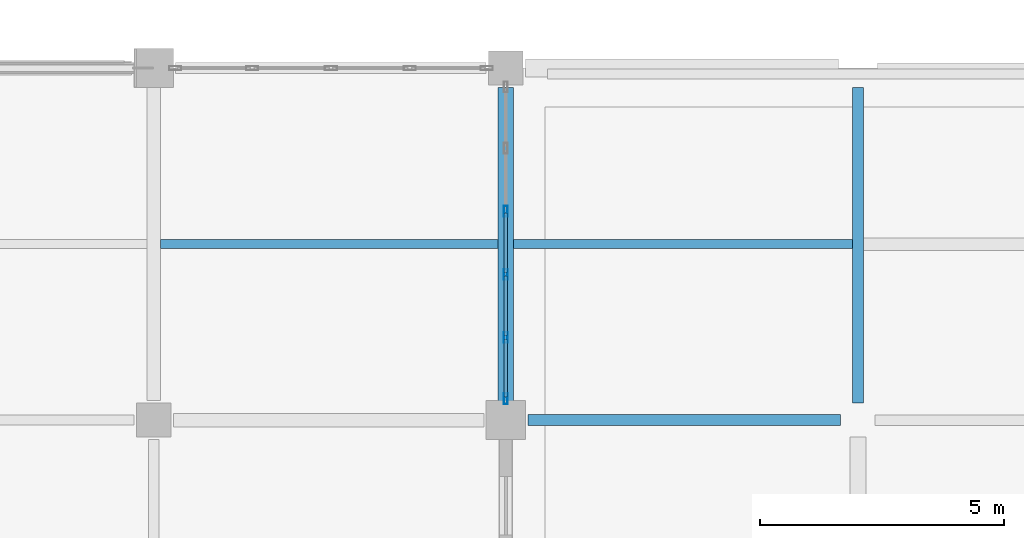
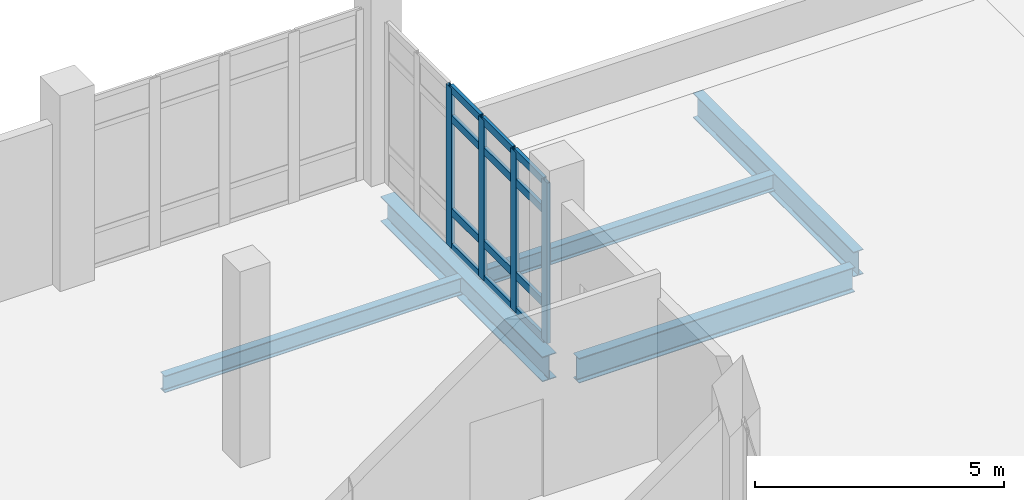
# One storey, part 92 of 153: 16 members, 5 beams, 1 element without a shape of its own.
"""IFC4 building model written with IfcOpenShell, lengths in metres."""

from ifc_helpers import new_model, si_unit, direction, frame, origin, origin_2d, place, context, subcontext, project, spatial, hollow_rectangle, i_section, extrude, material, layer, layer_set, material_profile, profile_set, type_object, element, aggregate, save


model = new_model("IFC4")

# Units and contexts
model_context = context("Model", 3, precision=1e-05, world=origin(), true_north=direction((0.0, 1.0)))
body_context = subcontext(model_context, "Body", "Model", "MODEL_VIEW")
ifc_project = project(units=[si_unit("LENGTHUNIT", "METRE"), si_unit("AREAUNIT", "SQUARE_METRE"), si_unit("VOLUMEUNIT", "CUBIC_METRE"), si_unit("PLANEANGLEUNIT", "RADIAN"), si_unit("MASSUNIT", "GRAM", prefix="KILO")], contexts=[model_context])

# Site, building, storey
site_placement = place(None, origin())
site = spatial("IfcSite", under=ifc_project, at=site_placement, CompositionType="ELEMENT")
building_placement = place(site_placement, origin())
building = spatial("IfcBuilding", under=site, at=building_placement, Name="Calvrana Isthmian Art Gallery", CompositionType="ELEMENT")
storey_placement = place(building_placement, frame((0.0, 0.0, 10.199951171875)))
storey = spatial("IfcBuildingStorey", under=building, at=storey_placement, Name="L02", CompositionType="ELEMENT", Elevation=10.199951171875)

# Beams
ifc_material_1 = material(Name="Steel ASTM A992 Gr 50", Category="steel")
ifc_material_profile_1 = material_profile(ifc_material_1, i_section(OverallWidth=0.324951171875, OverallDepth=0.612060546875, WebThickness=0.0126953125, FlangeThickness=0.01904296875, FilletRadius=0.02197265625, at=origin_2d()), Name="W24X104")
ifc_profile_set_1 = profile_set([ifc_material_profile_1], Name="Steel ASTM A992 Gr 50")
beam_type_1 = type_object("IfcBeamType", Name="BM-G-W24X104", PredefinedType="BEAM", material=ifc_profile_set_1)
beam_1_placement = place(storey_placement, frame((134.39990234375, 91.5, -0.571044921875), z_axis=(0.0, 1.0, 0.0), x_axis=(-1.0, 0.0, 0.0)))
element("IfcBeam", 1, at=beam_1_placement, inside=storey, type_object=beam_type_1, Name="Girder Y L02 18/M-N", PredefinedType="BEAM", context=body_context, shape_type="SweptSolid", body=[
    extrude(i_section(OverallWidth=0.324951171875, OverallDepth=0.612060546875, WebThickness=0.0126953125, FlangeThickness=0.01904296875, FilletRadius=0.02197265625, at=origin_2d()), origin(), (0.0, 0.0, 1.0), 6.5),
])
ifc_material_profile_2 = material_profile(ifc_material_1, i_section(OverallWidth=0.22802734375, OverallDepth=0.60693359375, WebThickness=0.01123046875, FlangeThickness=0.017333984375, FilletRadius=0.02197265625, at=origin_2d()), Name="W24X76")
ifc_profile_set_2 = profile_set([ifc_material_profile_2], Name="Steel ASTM A992 Gr 50")
beam_type_2 = type_object("IfcBeamType", Name="BM-G-W24X76", PredefinedType="BEAM", material=ifc_profile_set_2)
beam_2_placement = place(storey_placement, frame((134.85009765625, 91.199951171875, -0.568359375), z_axis=(1.0, 0.0, 0.0), x_axis=(0.0, 1.0, 0.0)))
element("IfcBeam", 2, at=beam_2_placement, inside=storey, type_object=beam_type_2, Name="Girder X L02 18-19/M", PredefinedType="BEAM", context=body_context, shape_type="SweptSolid", body=[
    extrude(i_section(OverallWidth=0.22802734375, OverallDepth=0.60693359375, WebThickness=0.01123046875, FlangeThickness=0.017333984375, FilletRadius=0.02197265625, at=origin_2d()), origin(), (0.0, 0.0, 1.0), 6.39990234375),
])
beam_3_placement = place(storey_placement, frame((141.60009765625, 91.550048828125, -0.568359375), z_axis=(0.0, 1.0, 0.0), x_axis=(-1.0, 0.0, 0.0)))
element("IfcBeam", 3, at=beam_3_placement, inside=storey, type_object=beam_type_2, Name="Girder Y L02 19/M-N", PredefinedType="BEAM", context=body_context, shape_type="SweptSolid", body=[
    extrude(i_section(OverallWidth=0.22802734375, OverallDepth=0.60693359375, WebThickness=0.01123046875, FlangeThickness=0.017333984375, FilletRadius=0.02197265625, at=origin_2d()), origin(), (0.0, 0.0, 1.0), 6.449951171875),
])
ifc_material_profile_3 = material_profile(ifc_material_1, i_section(OverallWidth=0.177978515625, OverallDepth=0.404052734375, WebThickness=0.007568359375, FlangeThickness=0.010986328125, FilletRadius=0.01806640625, at=origin_2d()), Name="W16X36")
ifc_profile_set_3 = profile_set([ifc_material_profile_3], Name="Steel ASTM A992 Gr 50")
beam_type_3 = type_object("IfcBeamType", Name="BM-J-W16X36", PredefinedType="JOIST", material=ifc_profile_set_3)
beam_4_placement = place(storey_placement, frame((134.5625, 94.800048828125, -0.467041015625), z_axis=(1.0, 0.0, 0.0), x_axis=(0.0, 1.0, 0.0)))
element("IfcBeam", 4, at=beam_4_placement, inside=storey, type_object=beam_type_3, Name="Composite joist L02 bay 17-12", PredefinedType="JOIST", context=body_context, shape_type="SweptSolid", body=[
    extrude(i_section(OverallWidth=0.177978515625, OverallDepth=0.404052734375, WebThickness=0.007568359375, FlangeThickness=0.010986328125, FilletRadius=0.01806640625, at=origin_2d()), origin(), (0.0, 0.0, 1.0), 6.923583984375),
])
ifc_material_profile_4 = material_profile(ifc_material_1, i_section(OverallWidth=0.179931640625, OverallDepth=0.4140625, WebThickness=0.009765625, FlangeThickness=0.01611328125, FilletRadius=0.01806640625, at=origin_2d()), Name="W16X50")
ifc_profile_set_4 = profile_set([ifc_material_profile_4], Name="Steel ASTM A992 Gr 50")
beam_type_4 = type_object("IfcBeamType", Name="BM-J-W16X50", PredefinedType="JOIST", material=ifc_profile_set_4)
beam_5_placement = place(storey_placement, frame((127.339599609375, 94.800048828125, -0.471923828125), z_axis=(1.0, 0.0, 0.0), x_axis=(0.0, 1.0, 0.0)))
element("IfcBeam", 5, at=beam_5_placement, inside=storey, type_object=beam_type_4, Name="Composite joist L02 bay 16-12", PredefinedType="JOIST", context=body_context, shape_type="SweptSolid", body=[
    extrude(i_section(OverallWidth=0.179931640625, OverallDepth=0.4140625, WebThickness=0.009765625, FlangeThickness=0.01611328125, FilletRadius=0.01806640625, at=origin_2d()), origin(), (0.0, 0.0, 1.0), 6.89794921875),
])

# Curtain wall, members
ifc_material_2 = material(Name="Anodized bronze aluminium 6063-T6", Category="aluminium")
ifc_layer = layer(ifc_material_2, 0.179931640625, Name="Anodized bronze aluminium 6063-T6")
ifc_layer_set = layer_set([ifc_layer], Name="Anodized bronze aluminium 6063-T6")
curtain_wall_type = type_object("IfcCurtainWallType", Name="CW-UNIT-065X39", PredefinedType="USERDEFINED", material=ifc_layer_set)
curtain_wall_placement = place(storey_placement, origin())
curtain_wall = element("IfcCurtainWall", 6, at=curtain_wall_placement, inside=storey, type_object=curtain_wall_type, Name="Curtain wall CW-184", ObjectType="UNITISED CURTAIN WALL", PredefinedType="USERDEFINED")
ifc_material_profile_5 = material_profile(ifc_material_2, hollow_rectangle(XDim=0.074951171875, YDim=0.219970703125, WallThickness=0.0048828125, at=origin_2d()), Name="CWM75X220")
ifc_profile_set_5 = profile_set([ifc_material_profile_5], Name="Anodized bronze aluminium 6063-T6")
member_type_1 = type_object("IfcMemberType", Name="CWM-CWM75X220", PredefinedType="MULLION", material=ifc_profile_set_5)
member_1_placement = place(storey_placement, frame((134.39990234375, 95.469970703125, 0.0), z_axis=(0.0, 0.0, 1.0), x_axis=(1.0, 0.0, 0.0)))
member_1 = element("IfcMember", 7, at=member_1_placement, type_object=member_type_1, Name="CW-184 mullion 3", PredefinedType="MULLION", context=body_context, shape_type="SweptSolid", body=[
    extrude(hollow_rectangle(XDim=0.074951171875, YDim=0.219970703125, WallThickness=0.0048828125, at=origin_2d()), origin(), (0.0, 0.0, 1.0), 3.93310546875),
])
member_2_placement = place(storey_placement, frame((134.39990234375, 94.179931640625, 0.0), z_axis=(0.0, 0.0, 1.0), x_axis=(1.0, 0.0, 0.0)))
member_2 = element("IfcMember", 8, at=member_2_placement, type_object=member_type_1, Name="CW-184 mullion 4", PredefinedType="MULLION", context=body_context, shape_type="SweptSolid", body=[
    extrude(hollow_rectangle(XDim=0.074951171875, YDim=0.219970703125, WallThickness=0.0048828125, at=origin_2d()), origin(), (0.0, 0.0, 1.0), 3.93310546875),
])
member_3_placement = place(storey_placement, frame((134.39990234375, 92.889892578125, 0.0), z_axis=(0.0, 0.0, 1.0), x_axis=(1.0, 0.0, 0.0)))
member_3 = element("IfcMember", 9, at=member_3_placement, type_object=member_type_1, Name="CW-184 mullion 5", PredefinedType="MULLION", context=body_context, shape_type="SweptSolid", body=[
    extrude(hollow_rectangle(XDim=0.074951171875, YDim=0.219970703125, WallThickness=0.0048828125, at=origin_2d()), origin(), (0.0, 0.0, 1.0), 3.93310546875),
])
member_4_placement = place(storey_placement, frame((134.39990234375, 91.637451171875, 0.0), z_axis=(0.0, 0.0, 1.0), x_axis=(1.0, 0.0, 0.0)))
member_4 = element("IfcMember", 10, at=member_4_placement, type_object=member_type_1, Name="CW-184 mullion 6", PredefinedType="MULLION", context=body_context, shape_type="SweptSolid", body=[
    extrude(hollow_rectangle(XDim=0.074951171875, YDim=0.219970703125, WallThickness=0.0048828125, at=origin_2d()), origin(), (0.0, 0.0, 1.0), 3.93310546875),
])
ifc_material_profile_6 = material_profile(ifc_material_2, hollow_rectangle(XDim=0.074951171875, YDim=0.18994140625, WallThickness=0.00439453125, at=origin_2d()), Name="CWT75X190")
ifc_profile_set_6 = profile_set([ifc_material_profile_6], Name="Anodized bronze aluminium 6063-T6")
member_type_2 = type_object("IfcMemberType", Name="CWT-CWT75X190", PredefinedType="USERDEFINED", material=ifc_profile_set_6)
member_5_placement = place(storey_placement, frame((134.39990234375, 95.4326171875, 0.03759765625), z_axis=(0.0, -1.0, 0.0), x_axis=(1.0, 0.0, 0.0)))
member_5 = element("IfcMember", 11, at=member_5_placement, type_object=member_type_2, Name="CW-184 transom 3.1", ObjectType="TRANSOM", PredefinedType="USERDEFINED", context=body_context, shape_type="SweptSolid", body=[
    extrude(hollow_rectangle(XDim=0.074951171875, YDim=0.18994140625, WallThickness=0.00439453125, at=origin_2d()), origin(), (0.0, 0.0, 1.0), 1.215087890625),
])
member_6_placement = place(storey_placement, frame((134.39990234375, 95.4326171875, 0.900146484375), z_axis=(0.0, -1.0, 0.0), x_axis=(1.0, 0.0, 0.0)))
member_6 = element("IfcMember", 12, at=member_6_placement, type_object=member_type_2, Name="CW-184 transom 3.2", ObjectType="TRANSOM", PredefinedType="USERDEFINED", context=body_context, shape_type="SweptSolid", body=[
    extrude(hollow_rectangle(XDim=0.074951171875, YDim=0.18994140625, WallThickness=0.00439453125, at=origin_2d()), origin(), (0.0, 0.0, 1.0), 1.215087890625),
])
member_7_placement = place(storey_placement, frame((134.39990234375, 95.4326171875, 3.18310546875), z_axis=(0.0, -1.0, 0.0), x_axis=(1.0, 0.0, 0.0)))
member_7 = element("IfcMember", 13, at=member_7_placement, type_object=member_type_2, Name="CW-184 transom 3.3", ObjectType="TRANSOM", PredefinedType="USERDEFINED", context=body_context, shape_type="SweptSolid", body=[
    extrude(hollow_rectangle(XDim=0.074951171875, YDim=0.18994140625, WallThickness=0.00439453125, at=origin_2d()), origin(), (0.0, 0.0, 1.0), 1.215087890625),
])
member_8_placement = place(storey_placement, frame((134.39990234375, 95.4326171875, 3.8955078125), z_axis=(0.0, -1.0, 0.0), x_axis=(1.0, 0.0, 0.0)))
member_8 = element("IfcMember", 14, at=member_8_placement, type_object=member_type_2, Name="CW-184 transom 3.4", ObjectType="TRANSOM", PredefinedType="USERDEFINED", context=body_context, shape_type="SweptSolid", body=[
    extrude(hollow_rectangle(XDim=0.074951171875, YDim=0.18994140625, WallThickness=0.00439453125, at=origin_2d()), origin(), (0.0, 0.0, 1.0), 1.215087890625),
])
member_9_placement = place(storey_placement, frame((134.39990234375, 94.142578125, 0.03759765625), z_axis=(0.0, -1.0, 0.0), x_axis=(1.0, 0.0, 0.0)))
member_9 = element("IfcMember", 15, at=member_9_placement, type_object=member_type_2, Name="CW-184 transom 4.1", ObjectType="TRANSOM", PredefinedType="USERDEFINED", context=body_context, shape_type="SweptSolid", body=[
    extrude(hollow_rectangle(XDim=0.074951171875, YDim=0.18994140625, WallThickness=0.00439453125, at=origin_2d()), origin(), (0.0, 0.0, 1.0), 1.215087890625),
])
member_10_placement = place(storey_placement, frame((134.39990234375, 94.142578125, 0.900146484375), z_axis=(0.0, -1.0, 0.0), x_axis=(1.0, 0.0, 0.0)))
member_10 = element("IfcMember", 16, at=member_10_placement, type_object=member_type_2, Name="CW-184 transom 4.2", ObjectType="TRANSOM", PredefinedType="USERDEFINED", context=body_context, shape_type="SweptSolid", body=[
    extrude(hollow_rectangle(XDim=0.074951171875, YDim=0.18994140625, WallThickness=0.00439453125, at=origin_2d()), origin(), (0.0, 0.0, 1.0), 1.215087890625),
])
member_11_placement = place(storey_placement, frame((134.39990234375, 94.142578125, 3.18310546875), z_axis=(0.0, -1.0, 0.0), x_axis=(1.0, 0.0, 0.0)))
member_11 = element("IfcMember", 17, at=member_11_placement, type_object=member_type_2, Name="CW-184 transom 4.3", ObjectType="TRANSOM", PredefinedType="USERDEFINED", context=body_context, shape_type="SweptSolid", body=[
    extrude(hollow_rectangle(XDim=0.074951171875, YDim=0.18994140625, WallThickness=0.00439453125, at=origin_2d()), origin(), (0.0, 0.0, 1.0), 1.215087890625),
])
member_12_placement = place(storey_placement, frame((134.39990234375, 94.142578125, 3.8955078125), z_axis=(0.0, -1.0, 0.0), x_axis=(1.0, 0.0, 0.0)))
member_12 = element("IfcMember", 18, at=member_12_placement, type_object=member_type_2, Name="CW-184 transom 4.4", ObjectType="TRANSOM", PredefinedType="USERDEFINED", context=body_context, shape_type="SweptSolid", body=[
    extrude(hollow_rectangle(XDim=0.074951171875, YDim=0.18994140625, WallThickness=0.00439453125, at=origin_2d()), origin(), (0.0, 0.0, 1.0), 1.215087890625),
])
member_13_placement = place(storey_placement, frame((134.39990234375, 92.8525390625, 0.03759765625), z_axis=(0.0, -1.0, 0.0), x_axis=(1.0, 0.0, 0.0)))
member_13 = element("IfcMember", 19, at=member_13_placement, type_object=member_type_2, Name="CW-184 transom 5.1", ObjectType="TRANSOM", PredefinedType="USERDEFINED", context=body_context, shape_type="SweptSolid", body=[
    extrude(hollow_rectangle(XDim=0.074951171875, YDim=0.18994140625, WallThickness=0.00439453125, at=origin_2d()), origin(), (0.0, 0.0, 1.0), 1.177490234375),
])
member_14_placement = place(storey_placement, frame((134.39990234375, 92.8525390625, 0.900146484375), z_axis=(0.0, -1.0, 0.0), x_axis=(1.0, 0.0, 0.0)))
member_14 = element("IfcMember", 20, at=member_14_placement, type_object=member_type_2, Name="CW-184 transom 5.2", ObjectType="TRANSOM", PredefinedType="USERDEFINED", context=body_context, shape_type="SweptSolid", body=[
    extrude(hollow_rectangle(XDim=0.074951171875, YDim=0.18994140625, WallThickness=0.00439453125, at=origin_2d()), origin(), (0.0, 0.0, 1.0), 1.177490234375),
])
member_15_placement = place(storey_placement, frame((134.39990234375, 92.8525390625, 3.18310546875), z_axis=(0.0, -1.0, 0.0), x_axis=(1.0, 0.0, 0.0)))
member_15 = element("IfcMember", 21, at=member_15_placement, type_object=member_type_2, Name="CW-184 transom 5.3", ObjectType="TRANSOM", PredefinedType="USERDEFINED", context=body_context, shape_type="SweptSolid", body=[
    extrude(hollow_rectangle(XDim=0.074951171875, YDim=0.18994140625, WallThickness=0.00439453125, at=origin_2d()), origin(), (0.0, 0.0, 1.0), 1.177490234375),
])
member_16_placement = place(storey_placement, frame((134.39990234375, 92.8525390625, 3.8955078125), z_axis=(0.0, -1.0, 0.0), x_axis=(1.0, 0.0, 0.0)))
member_16 = element("IfcMember", 22, at=member_16_placement, type_object=member_type_2, Name="CW-184 transom 5.4", ObjectType="TRANSOM", PredefinedType="USERDEFINED", context=body_context, shape_type="SweptSolid", body=[
    extrude(hollow_rectangle(XDim=0.074951171875, YDim=0.18994140625, WallThickness=0.00439453125, at=origin_2d()), origin(), (0.0, 0.0, 1.0), 1.177490234375),
])
aggregate(curtain_wall, [member_1, member_2, member_3, member_4, member_5, member_6, member_7, member_8, member_9, member_10, member_11, member_12, member_13, member_14, member_15, member_16])

save(model, "model.ifc")
